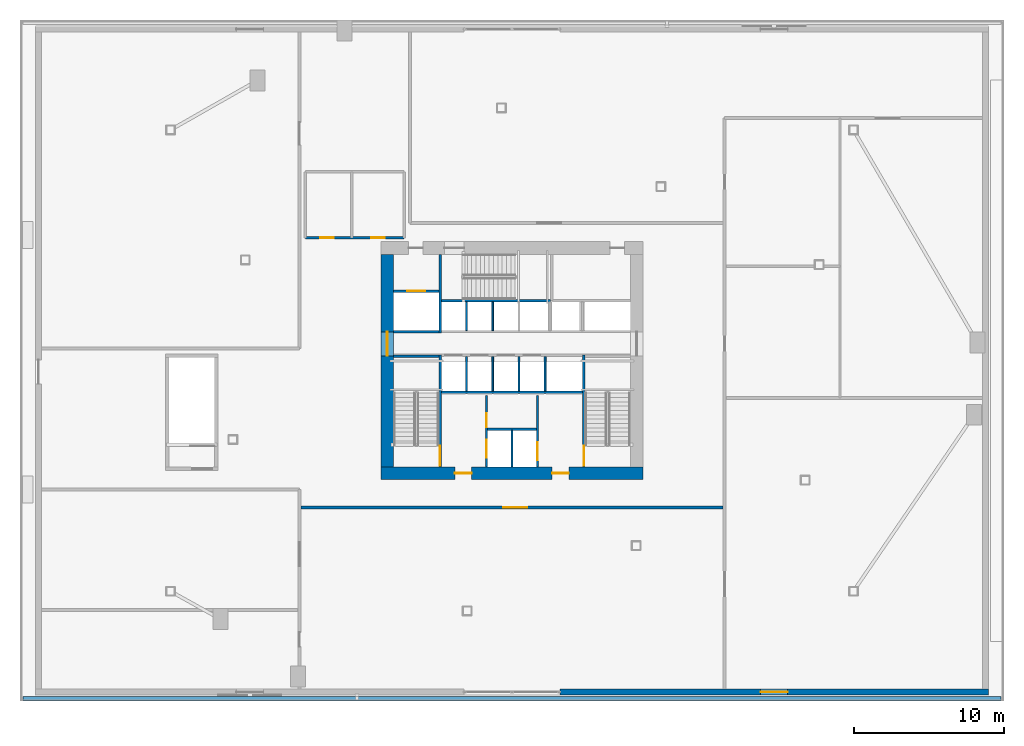
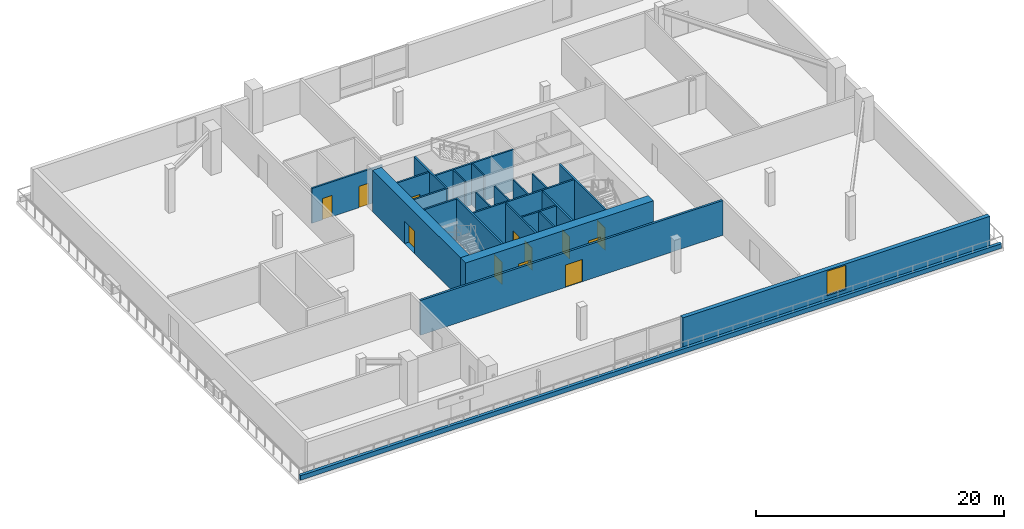
# One storey, part 8 of 16: 24 walls, 12 doors, 1 window, 13 openings.
"""IFC4 building model written with IfcOpenShell, lengths in metres."""

from ifc_helpers import new_model, si_unit, direction, frame, frame_2d, origin, place, context, subcontext, project, spatial, rectangle, extrude, source, transform, mapped, material, layer, layer_set, type_object, type_shapes, element, fill, save


model = new_model("IFC4")

# Units and contexts
model_context = context("Model", 3, precision=1e-05, world=origin(), true_north=direction((0.0, 1.0)))
body_context = subcontext(model_context, "Body", "Model", "MODEL_VIEW")
ifc_project = project(units=[si_unit("LENGTHUNIT", "METRE"), si_unit("AREAUNIT", "SQUARE_METRE"), si_unit("VOLUMEUNIT", "CUBIC_METRE"), si_unit("PLANEANGLEUNIT", "RADIAN"), si_unit("MASSUNIT", "GRAM", prefix="KILO")], contexts=[model_context])

# Site, building, storey
site_placement = place(None, origin())
site = spatial("IfcSite", under=ifc_project, at=site_placement, CompositionType="ELEMENT")
building_placement = place(site_placement, origin())
building = spatial("IfcBuilding", under=site, at=building_placement, Name="Olszyna Solenne Hotel", CompositionType="ELEMENT")
storey_placement = place(building_placement, frame((0.0, 0.0, 20.10009765625)))
storey = spatial("IfcBuildingStorey", under=building, at=storey_placement, Name="L04", CompositionType="ELEMENT", Elevation=20.10009765625)

# Wall, openings, doors
ifc_material_1 = material(Name="Concrete C60/75", Category="concrete")
ifc_layer_1 = layer(ifc_material_1, 0.85009765625, Name="Concrete C60/75")
ifc_layer_set_1 = layer_set([ifc_layer_1], Name="Concrete C60/75")
wall_type_1 = type_object("IfcWallType", Name="WL-CR850", PredefinedType="SHEAR", material=ifc_layer_set_1)
wall_1_placement = place(storey_placement, frame((46.75, 19.074951171875, 0.0), z_axis=(0.0, 0.0, 1.0), x_axis=(-1.0, 0.0, 0.0)))
wall_1 = element("IfcWall", 1, at=wall_1_placement, inside=storey, type_object=wall_type_1, Name="Core shear wall WL-CR850 CRW-L04-S", PredefinedType="SHEAR", context=body_context, shape_type="SweptSolid", body=[
    extrude(rectangle(XDim=17.5, YDim=0.85009765625, at=frame_2d((8.75, 0.0))), origin(), (0.0, 0.0, 1.0), 4.079833984375),
])
opening_1_placement = place(wall_1_placement, frame((4.949951171875, 0.0, 0.0)))
opening_1 = element("IfcOpeningElement", 2, at=opening_1_placement, cuts=wall_1, Name="Opening FL-L04-1", PredefinedType="OPENING", context=body_context, shape_type="SweptSolid", body=[
    extrude(rectangle(XDim=1.1201171875, YDim=2.25, at=frame_2d((0.56005859375, 1.125))), frame((0.0, 0.43505859375, 0.0), z_axis=(0.0, -1.0, 0.0), x_axis=(1.0, 0.0, 0.0)), (0.0, 0.0, 1.0), 0.8701171875),
])
opening_2_placement = place(wall_1_placement, frame((11.449951171875, 0.0, 0.0)))
opening_2 = element("IfcOpeningElement", 3, at=opening_2_placement, cuts=wall_1, Name="Opening FL-L04-2", PredefinedType="OPENING", context=body_context, shape_type="SweptSolid", body=[
    extrude(rectangle(XDim=1.1201171875, YDim=2.25, at=frame_2d((0.56005859375, 1.125))), frame((0.0, 0.43505859375, 0.0), z_axis=(0.0, -1.0, 0.0), x_axis=(1.0, 0.0, 0.0)), (0.0, 0.0, 1.0), 0.8701171875),
])
ifc_material_2 = material(Name="Steel S355J2", Category="steel")
door_type_1 = type_object("IfcDoorType", Name="DR-FL1", OperationType="NOTDEFINED", PredefinedType="DOOR", material=ifc_material_2)
shared_shape_1 = source(origin(), body_context, "Body", "SweptSolid", [
    extrude(rectangle(XDim=1.1201171875, YDim=2.25, at=frame_2d((0.56005859375, 1.125))), frame((0.0, 0.02490234375, 0.0), z_axis=(0.0, -1.0, 0.0), x_axis=(1.0, 0.0, 0.0)), (0.0, 0.0, 1.0), 0.050048828125),
])
type_shapes(door_type_1, [shared_shape_1])
door_1_placement = place(opening_1_placement, origin())
door_1 = element("IfcDoor", 4, at=door_1_placement, inside=storey, type_object=door_type_1, Name="Firefighting lift lobby smoke door FL-L04-1", OperationType="SINGLE_SWING_LEFT", OverallHeight=2.25, OverallWidth=1.1201171875, PredefinedType="DOOR", context=body_context, shape_type="MappedRepresentation", body=[
    mapped(shared_shape_1, transform((0.0, 0.0, 0.0), x_axis=(1.0, 0.0, 0.0), y_axis=(0.0, 1.0, 0.0), z_axis=(0.0, 0.0, 1.0), scale=1.0)),
])
fill(opening_1, door_1)
door_2_placement = place(opening_2_placement, origin())
door_2 = element("IfcDoor", 5, at=door_2_placement, inside=storey, type_object=door_type_1, Name="Firefighting lift lobby smoke door FL-L04-2", OperationType="SINGLE_SWING_RIGHT", OverallHeight=2.25, OverallWidth=1.1201171875, PredefinedType="DOOR", context=body_context, shape_type="MappedRepresentation", body=[
    mapped(shared_shape_1, transform((0.0, 0.0, 0.0), x_axis=(1.0, 0.0, 0.0), y_axis=(0.0, 1.0, 0.0), z_axis=(0.0, 0.0, 1.0), scale=1.0)),
])
fill(opening_2, door_2)

# Wall, opening, door
wall_2_placement = place(storey_placement, frame((29.675048828125, 19.5, 0.0), z_axis=(0.0, 0.0, 1.0), x_axis=(0.0, 1.0, 0.0)))
wall_2 = element("IfcWall", 6, at=wall_2_placement, inside=storey, type_object=wall_type_1, Name="Core shear wall WL-CR850 CRW-L04-W", PredefinedType="SHEAR", context=body_context, shape_type="SweptSolid", body=[
    extrude(rectangle(XDim=14.199951171875, YDim=0.85009765625, at=frame_2d((7.10009765625, 0.0))), origin(), (0.0, 0.0, 1.0), 4.079833984375),
])
opening_3_placement = place(wall_2_placement, frame((7.419921875, 0.0, 0.0)))
opening_3 = element("IfcOpeningElement", 7, at=opening_3_placement, cuts=wall_2, Name="Opening LHD-L04-W", PredefinedType="OPENING", context=body_context, shape_type="SweptSolid", body=[
    extrude(rectangle(XDim=1.60009765625, YDim=2.199951171875, at=frame_2d((0.800048828125, 1.10009765625))), frame((0.0, 0.43505859375, 0.0), z_axis=(0.0, -1.0, 0.0), x_axis=(1.0, 0.0, 0.0)), (0.0, 0.0, 1.0), 0.8701171875),
])
ifc_material_3 = material(Name="Timber hardwood", Category="wood")
door_type_2 = type_object("IfcDoorType", Name="DR-CR1", OperationType="DOUBLE_DOOR_SINGLE_SWING", PredefinedType="DOOR", material=ifc_material_3)
shared_shape_2 = source(origin(), body_context, "Body", "SweptSolid", [
    extrude(rectangle(XDim=1.60009765625, YDim=2.199951171875, at=frame_2d((0.800048828125, 1.10009765625))), frame((0.0, 0.02490234375, 0.0), z_axis=(0.0, -1.0, 0.0), x_axis=(1.0, 0.0, 0.0)), (0.0, 0.0, 1.0), 0.050048828125),
])
type_shapes(door_type_2, [shared_shape_2])
door_3_placement = place(opening_3_placement, origin())
door_3 = element("IfcDoor", 8, at=door_3_placement, inside=storey, type_object=door_type_2, Name="Passenger lift lobby West fire door LHD-L04-W", OperationType="DOUBLE_DOOR_SINGLE_SWING", OverallHeight=2.199951171875, OverallWidth=1.60009765625, PredefinedType="DOOR", context=body_context, shape_type="MappedRepresentation", body=[
    mapped(shared_shape_2, transform((0.0, 0.0, 0.0), x_axis=(1.0, 0.0, 0.0), y_axis=(0.0, 1.0, 0.0), z_axis=(0.0, 0.0, 1.0), scale=1.0)),
])
fill(opening_3, door_3)

# Wall, opening, window
ifc_material_4 = material(Name="Terracotta cladding on precast concrete C45/55", Category="masonry")
ifc_layer_2 = layer(ifc_material_4, 0.3798828125, Name="Terracotta cladding on precast concrete C45/55")
ifc_layer_set_2 = layer_set([ifc_layer_2], Name="Terracotta cladding on precast concrete C45/55")
wall_type_2 = type_object("IfcWallType", Name="WL-EX380", PredefinedType="SOLIDWALL", material=ifc_layer_set_2)
wall_3_placement = place(storey_placement, frame((69.800048828125, 4.469970703125, 0.0), z_axis=(0.0, 0.0, 1.0), x_axis=(-1.0, 0.0, 0.0)))
wall_3 = element("IfcWall", 9, at=wall_3_placement, inside=storey, type_object=wall_type_2, Name="Podium terracotta-precast exterior wall EW-L04-SE", PredefinedType="SOLIDWALL", context=body_context, shape_type="SweptSolid", body=[
    extrude(rectangle(XDim=28.60009765625, YDim=0.3798828125, at=frame_2d((14.300048828125, 0.0))), origin(), (0.0, 0.0, 1.0), 3.199951171875),
])
opening_4_placement = place(wall_3_placement, frame((13.39990234375, 0.0, 0.679931640625)))
opening_4 = element("IfcOpeningElement", 10, at=opening_4_placement, cuts=wall_3, Name="Opening WN-L04-017", PredefinedType="OPENING", context=body_context, shape_type="SweptSolid", body=[
    extrude(rectangle(XDim=1.800048828125, YDim=2.39990234375, at=frame_2d((0.89990234375, 1.199951171875))), frame((0.0, 0.199951171875, 0.0), z_axis=(0.0, -1.0, 0.0), x_axis=(1.0, 0.0, 0.0)), (0.0, 0.0, 1.0), 0.39990234375),
])
ifc_material_5 = material(Name="Low-E triple glazing", Category="glass")
window_type = type_object("IfcWindowType", Name="WN-PD2", PartitioningType="SINGLE_PANEL", PredefinedType="WINDOW", material=ifc_material_5)
shared_shape_3 = source(origin(), body_context, "Body", "SweptSolid", [
    extrude(rectangle(XDim=1.800048828125, YDim=2.39990234375, at=frame_2d((0.89990234375, 1.199951171875))), frame((0.0, 0.030029296875, 0.0), z_axis=(0.0, -1.0, 0.0), x_axis=(1.0, 0.0, 0.0)), (0.0, 0.0, 1.0), 0.06005859375),
])
type_shapes(window_type, [shared_shape_3])
window_placement = place(opening_4_placement, origin())
window = element("IfcWindow", 11, at=window_placement, inside=storey, type_object=window_type, Name="Podium triple-glazed window WN-PD2 WN-L04-017", OverallHeight=2.39990234375, OverallWidth=1.800048828125, PartitioningType="SINGLE_PANEL", PredefinedType="WINDOW", context=body_context, shape_type="MappedRepresentation", body=[
    mapped(shared_shape_3, transform((0.0, 0.0, 0.0), x_axis=(1.0, 0.0, 0.0), y_axis=(0.0, 1.0, 0.0), z_axis=(0.0, 0.0, 1.0), scale=1.0)),
])
fill(opening_4, window)

# Walls
ifc_layer_3 = layer(ifc_material_4, 0.280029296875, Name="Terracotta cladding on precast concrete C45/55")
ifc_layer_set_3 = layer_set([ifc_layer_3], Name="Terracotta cladding on precast concrete C45/55")
wall_type_3 = type_object("IfcWallType", Name="WL-PR280", PredefinedType="PARAPET", material=ifc_layer_set_3)
wall_4_placement = place(storey_placement, frame((5.35009765625, 4.02001953125, 0.0), z_axis=(0.0, 0.0, 1.0), x_axis=(1.0, 0.0, 0.0)))
element("IfcWall", 12, at=wall_4_placement, inside=storey, type_object=wall_type_3, Name="Garden terrace parapet upstand PR-L04-S", PredefinedType="PARAPET", context=body_context, shape_type="SweptSolid", body=[
    extrude(rectangle(XDim=65.2998046875, YDim=0.280029296875, at=frame_2d((32.64990234375, 0.0))), origin(), (0.0, 0.0, 1.0), 0.449951171875),
])
ifc_material_6 = material(Name="Acoustic gypsum partition", Category="gypsum")
ifc_layer_4 = layer(ifc_material_6, 0.125, Name="Acoustic gypsum partition")
ifc_layer_set_4 = layer_set([ifc_layer_4], Name="Acoustic gypsum partition")
wall_type_4 = type_object("IfcWallType", Name="WL-PT125", PredefinedType="PARTITIONING", material=ifc_layer_set_4)
wall_5_placement = place(storey_placement, frame((38.0, 19.5, 0.0), z_axis=(0.0, 0.0, 1.0), x_axis=(0.0, 1.0, 0.0)))
element("IfcWall", 13, at=wall_5_placement, inside=storey, type_object=wall_type_4, Name="Core shaft compartment wall CW-L04-FFM", PredefinedType="PARTITIONING", context=body_context, shape_type="SweptSolid", body=[
    extrude(rectangle(XDim=2.4599609375, YDim=0.125, at=frame_2d((1.22998046875, 0.0))), origin(), (0.0, 0.0, 1.0), 4.079833984375),
])
for number, where, z_axis, x_axis, name in (
    (14, (34.965087890625, 24.56005859375, 0.0), (0.0, 0.0, 1.0), (0.0, 1.0, 0.0), "Core shaft compartment wall CW-L04-DIVS349"),
    (15, (36.715087890625, 24.56005859375, 0.0), (0.0, 0.0, 1.0), (0.0, 1.0, 0.0), "Core shaft compartment wall CW-L04-DIVS367"),
    (16, (38.465087890625, 24.56005859375, 0.0), (0.0, 0.0, 1.0), (0.0, 1.0, 0.0), "Core shaft compartment wall CW-L04-DIVS384"),
    (17, (40.215087890625, 24.56005859375, 0.0), (0.0, 0.0, 1.0), (0.0, 1.0, 0.0), "Core shaft compartment wall CW-L04-DIVS402"),
):
    element("IfcWall", number, at=place(storey_placement, frame(where, z_axis=z_axis, x_axis=x_axis)), inside=storey, type_object=wall_type_4, Name=name, PredefinedType="PARTITIONING", context=body_context, shape_type="SweptSolid", body=[
        extrude(rectangle(XDim=2.31005859375, YDim=0.125, at=frame_2d((1.155029296875, 0.0))), origin(), (0.0, 0.0, 1.0), 4.079833984375),
    ])
for number, where, z_axis, x_axis, name in (
    (18, (34.965087890625, 28.60009765625, 0.0), (0.0, 0.0, 1.0), (0.0, 1.0, 0.0), "Core shaft compartment wall CW-L04-DIVN349"),
    (19, (36.715087890625, 28.60009765625, 0.0), (0.0, 0.0, 1.0), (0.0, 1.0, 0.0), "Core shaft compartment wall CW-L04-DIVN367"),
):
    element("IfcWall", number, at=place(storey_placement, frame(where, z_axis=z_axis, x_axis=x_axis)), inside=storey, type_object=wall_type_4, Name=name, PredefinedType="PARTITIONING", context=body_context, shape_type="SweptSolid", body=[
        extrude(rectangle(XDim=1.919921875, YDim=0.125, at=frame_2d((0.9599609375, 0.0))), origin(), (0.0, 0.0, 1.0), 4.079833984375),
    ])

# Wall, opening, door
ifc_layer_5 = layer(ifc_material_6, 0.159912109375, Name="Acoustic gypsum partition")
ifc_layer_set_5 = layer_set([ifc_layer_5], Name="Acoustic gypsum partition")
wall_type_5 = type_object("IfcWallType", Name="WL-PT160", PredefinedType="PARTITIONING", material=ifc_layer_set_5)
wall_6_placement = place(storey_placement, frame((33.199951171875, 19.5, 0.0), z_axis=(0.0, 0.0, 1.0), x_axis=(0.0, 1.0, 0.0)))
wall_6 = element("IfcWall", 20, at=wall_6_placement, inside=storey, type_object=wall_type_5, Name="Core shaft compartment wall CW-L04-ST1E", PredefinedType="PARTITIONING", context=body_context, shape_type="SweptSolid", body=[
    extrude(rectangle(XDim=7.4599609375, YDim=0.159912109375, at=frame_2d((3.72998046875, 0.0))), origin(), (0.0, 0.0, 1.0), 4.079833984375),
])
opening_5_placement = place(wall_6_placement, frame((0.080078125, 0.0, 0.0)))
opening_5 = element("IfcOpeningElement", 21, at=opening_5_placement, cuts=wall_6, Name="Opening STD-L04-01", PredefinedType="OPENING", context=body_context, shape_type="SweptSolid", body=[
    extrude(rectangle(XDim=1.320068359375, YDim=2.199951171875, at=frame_2d((0.66015625, 1.10009765625))), frame((0.0, 0.08984375, 0.0), z_axis=(0.0, -1.0, 0.0), x_axis=(1.0, 0.0, 0.0)), (0.0, 0.0, 1.0), 0.179931640625),
])
door_type_3 = type_object("IfcDoorType", Name="DR-ST1", OperationType="NOTDEFINED", PredefinedType="DOOR", material=ifc_material_2)
shared_shape_4 = source(origin(), body_context, "Body", "SweptSolid", [
    extrude(rectangle(XDim=1.320068359375, YDim=2.199951171875, at=frame_2d((0.66015625, 1.10009765625))), frame((0.0, 0.02490234375, 0.0), z_axis=(0.0, -1.0, 0.0), x_axis=(1.0, 0.0, 0.0)), (0.0, 0.0, 1.0), 0.050048828125),
])
type_shapes(door_type_3, [shared_shape_4])
door_4_placement = place(opening_5_placement, origin())
door_4 = element("IfcDoor", 22, at=door_4_placement, inside=storey, type_object=door_type_3, Name="Pressurised exit stair ST1 fire door STD-L04-01", OperationType="SINGLE_SWING_LEFT", OverallHeight=2.199951171875, OverallWidth=1.320068359375, PredefinedType="DOOR", context=body_context, shape_type="MappedRepresentation", body=[
    mapped(shared_shape_4, transform((0.0, 0.0, 0.0), x_axis=(1.0, 0.0, 0.0), y_axis=(0.0, 1.0, 0.0), z_axis=(0.0, 0.0, 1.0), scale=1.0)),
])
fill(opening_5, door_4)

# Wall
wall_7_placement = place(storey_placement, frame((30.10009765625, 26.8798828125, 0.0), z_axis=(0.0, 0.0, 1.0), x_axis=(1.0, 0.0, 0.0)))
element("IfcWall", 23, at=wall_7_placement, inside=storey, type_object=wall_type_5, Name="Core shaft compartment wall CW-L04-ST1N", PredefinedType="PARTITIONING", context=body_context, shape_type="SweptSolid", body=[
    extrude(rectangle(XDim=3.02001953125, YDim=0.159912109375, at=frame_2d((1.510009765625, 0.0))), origin(), (0.0, 0.0, 1.0), 4.079833984375),
])

# Wall, opening, door
wall_8_placement = place(storey_placement, frame((42.800048828125, 26.9599609375, 0.0), z_axis=(0.0, 0.0, 1.0), x_axis=(0.0, -1.0, 0.0)))
wall_8 = element("IfcWall", 24, at=wall_8_placement, inside=storey, type_object=wall_type_5, Name="Core shaft compartment wall CW-L04-ST2W", PredefinedType="PARTITIONING", context=body_context, shape_type="SweptSolid", body=[
    extrude(rectangle(XDim=7.4599609375, YDim=0.159912109375, at=frame_2d((3.72998046875, 0.0))), origin(), (0.0, 0.0, 1.0), 4.079833984375),
])
opening_6_placement = place(wall_8_placement, frame((6.06005859375, 0.0, 0.0)))
opening_6 = element("IfcOpeningElement", 25, at=opening_6_placement, cuts=wall_8, Name="Opening STD-L04-02", PredefinedType="OPENING", context=body_context, shape_type="SweptSolid", body=[
    extrude(rectangle(XDim=1.320068359375, YDim=2.199951171875, at=frame_2d((0.66015625, 1.10009765625))), frame((0.0, 0.08984375, 0.0), z_axis=(0.0, -1.0, 0.0), x_axis=(1.0, 0.0, 0.0)), (0.0, 0.0, 1.0), 0.179931640625),
])
door_5_placement = place(opening_6_placement, origin())
door_5 = element("IfcDoor", 26, at=door_5_placement, inside=storey, type_object=door_type_3, Name="Pressurised exit stair ST2 fire door STD-L04-02", OperationType="SINGLE_SWING_RIGHT", OverallHeight=2.199951171875, OverallWidth=1.320068359375, PredefinedType="DOOR", context=body_context, shape_type="MappedRepresentation", body=[
    mapped(shared_shape_4, transform((0.0, 0.0, 0.0), x_axis=(1.0, 0.0, 0.0), y_axis=(0.0, 1.0, 0.0), z_axis=(0.0, 0.0, 1.0), scale=1.0)),
])
fill(opening_6, door_5)

# Wall
wall_9_placement = place(storey_placement, frame((33.280029296875, 30.60009765625, 0.0), z_axis=(0.0, 0.0, 1.0), x_axis=(1.0, 0.0, 0.0)))
element("IfcWall", 27, at=wall_9_placement, inside=storey, type_object=wall_type_5, Name="Core shaft compartment wall CW-L04-ST3S", PredefinedType="PARTITIONING", context=body_context, shape_type="SweptSolid", body=[
    extrude(rectangle(XDim=7.300048828125, YDim=0.159912109375, at=frame_2d((3.64990234375, 0.0))), origin(), (0.0, 0.0, 1.0), 4.079833984375),
])

# Wall, openings, doors
wall_10_placement = place(storey_placement, frame((36.300048828125, 19.5, 0.0), z_axis=(0.0, 0.0, 1.0), x_axis=(0.0, 1.0, 0.0)))
wall_10 = element("IfcWall", 28, at=wall_10_placement, inside=storey, type_object=wall_type_5, Name="Core shaft compartment wall CW-L04-FF1W", PredefinedType="PARTITIONING", context=body_context, shape_type="SweptSolid", body=[
    extrude(rectangle(XDim=4.780029296875, YDim=0.159912109375, at=frame_2d((2.39013671875, 0.0))), origin(), (0.0, 0.0, 1.0), 4.079833984375),
])
opening_7_placement = place(wall_10_placement, frame((0.60009765625, 0.0, 0.0)))
opening_7 = element("IfcOpeningElement", 29, at=opening_7_placement, cuts=wall_10, Name="Opening LD-L04-FF1", PredefinedType="OPENING", context=body_context, shape_type="SweptSolid", body=[
    extrude(rectangle(XDim=1.199951171875, YDim=2.199951171875, at=frame_2d((0.60009765625, 1.10009765625))), frame((0.0, 0.08984375, 0.0), z_axis=(0.0, -1.0, 0.0), x_axis=(1.0, 0.0, 0.0)), (0.0, 0.0, 1.0), 0.179931640625),
])
opening_8_placement = place(wall_10_placement, frame((2.64990234375, 0.0, 0.0)))
opening_8 = element("IfcOpeningElement", 30, at=opening_8_placement, cuts=wall_10, Name="Opening SVD-L04-SMK", PredefinedType="OPENING", context=body_context, shape_type="SweptSolid", body=[
    extrude(rectangle(XDim=0.949951171875, YDim=2.10009765625, at=frame_2d((0.47509765625, 1.050048828125))), frame((0.0, 0.08984375, 0.0), z_axis=(0.0, -1.0, 0.0), x_axis=(1.0, 0.0, 0.0)), (0.0, 0.0, 1.0), 0.179931640625),
])
door_type_4 = type_object("IfcDoorType", Name="DR-SV1", OperationType="NOTDEFINED", PredefinedType="DOOR", material=ifc_material_2)
shared_shape_5 = source(origin(), body_context, "Body", "SweptSolid", [
    extrude(rectangle(XDim=0.949951171875, YDim=2.10009765625, at=frame_2d((0.47509765625, 1.050048828125))), frame((0.0, 0.02490234375, 0.0), z_axis=(0.0, -1.0, 0.0), x_axis=(1.0, 0.0, 0.0)), (0.0, 0.0, 1.0), 0.050048828125),
])
type_shapes(door_type_4, [shared_shape_5])
door_6_placement = place(opening_8_placement, origin())
door_6 = element("IfcDoor", 31, at=door_6_placement, inside=storey, type_object=door_type_4, Name="Valet and core service room door SVD-L04-SMK", OperationType="SINGLE_SWING_LEFT", OverallHeight=2.10009765625, OverallWidth=0.949951171875, PredefinedType="DOOR", context=body_context, shape_type="MappedRepresentation", body=[
    mapped(shared_shape_5, transform((0.0, 0.0, 0.0), x_axis=(1.0, 0.0, 0.0), y_axis=(0.0, 1.0, 0.0), z_axis=(0.0, 0.0, 1.0), scale=1.0)),
])
fill(opening_8, door_6)
door_type_5 = type_object("IfcDoorType", Name="LD-FF1", OperationType="DOUBLE_DOOR_SLIDING", PredefinedType="DOOR", material=ifc_material_2)
shared_shape_6 = source(origin(), body_context, "Body", "SweptSolid", [
    extrude(rectangle(XDim=1.199951171875, YDim=2.199951171875, at=frame_2d((0.60009765625, 1.10009765625))), frame((0.0, 0.02490234375, 0.0), z_axis=(0.0, -1.0, 0.0), x_axis=(1.0, 0.0, 0.0)), (0.0, 0.0, 1.0), 0.050048828125),
])
type_shapes(door_type_5, [shared_shape_6])
door_7_placement = place(opening_7_placement, origin())
door_7 = element("IfcDoor", 32, at=door_7_placement, inside=storey, type_object=door_type_5, Name="Firefighters lift FF1 sliding landing door LD-L04-FF1", OperationType="DOUBLE_DOOR_SLIDING", OverallHeight=2.199951171875, OverallWidth=1.199951171875, PredefinedType="DOOR", context=body_context, shape_type="MappedRepresentation", body=[
    mapped(shared_shape_6, transform((0.0, 0.0, 0.0), x_axis=(1.0, 0.0, 0.0), y_axis=(0.0, 1.0, 0.0), z_axis=(0.0, 0.0, 1.0), scale=1.0)),
])
fill(opening_7, door_7)

# Wall, opening, door
wall_11_placement = place(storey_placement, frame((39.699951171875, 24.280029296875, 0.0), z_axis=(0.0, 0.0, 1.0), x_axis=(0.0, -1.0, 0.0)))
wall_11 = element("IfcWall", 33, at=wall_11_placement, inside=storey, type_object=wall_type_5, Name="Core shaft compartment wall CW-L04-FF2E", PredefinedType="PARTITIONING", context=body_context, shape_type="SweptSolid", body=[
    extrude(rectangle(XDim=4.780029296875, YDim=0.159912109375, at=frame_2d((2.39013671875, 0.0))), origin(), (0.0, 0.0, 1.0), 4.079833984375),
])
opening_9_placement = place(wall_11_placement, frame((3.1201171875, 0.0, 0.0)))
opening_9 = element("IfcOpeningElement", 34, at=opening_9_placement, cuts=wall_11, Name="Opening LD-L04-FF2", PredefinedType="OPENING", context=body_context, shape_type="SweptSolid", body=[
    extrude(rectangle(XDim=1.199951171875, YDim=2.199951171875, at=frame_2d((0.60009765625, 1.10009765625))), frame((0.0, 0.08984375, 0.0), z_axis=(0.0, -1.0, 0.0), x_axis=(1.0, 0.0, 0.0)), (0.0, 0.0, 1.0), 0.179931640625),
])
door_8_placement = place(opening_9_placement, origin())
door_8 = element("IfcDoor", 35, at=door_8_placement, inside=storey, type_object=door_type_5, Name="Firefighters lift FF2 sliding landing door LD-L04-FF2", OperationType="DOUBLE_DOOR_SLIDING", OverallHeight=2.199951171875, OverallWidth=1.199951171875, PredefinedType="DOOR", context=body_context, shape_type="MappedRepresentation", body=[
    mapped(shared_shape_6, transform((0.0, 0.0, 0.0), x_axis=(1.0, 0.0, 0.0), y_axis=(0.0, 1.0, 0.0), z_axis=(0.0, 0.0, 1.0), scale=1.0)),
])
fill(opening_9, door_8)

# Walls
wall_12_placement = place(storey_placement, frame((36.3798828125, 22.02001953125, 0.0), z_axis=(0.0, 0.0, 1.0), x_axis=(1.0, 0.0, 0.0)))
element("IfcWall", 36, at=wall_12_placement, inside=storey, type_object=wall_type_5, Name="Core shaft compartment wall CW-L04-FFN", PredefinedType="PARTITIONING", context=body_context, shape_type="SweptSolid", body=[
    extrude(rectangle(XDim=3.240234375, YDim=0.159912109375, at=frame_2d((1.6201171875, 0.0))), origin(), (0.0, 0.0, 1.0), 4.079833984375),
])
wall_13_placement = place(storey_placement, frame((33.280029296875, 24.489990234375, 0.0), z_axis=(0.0, 0.0, 1.0), x_axis=(1.0, 0.0, 0.0)))
element("IfcWall", 37, at=wall_13_placement, inside=storey, type_object=wall_type_5, Name="Core shaft compartment wall CW-L04-FFBN", PredefinedType="PARTITIONING", context=body_context, shape_type="SweptSolid", body=[
    extrude(rectangle(XDim=9.43994140625, YDim=0.159912109375, at=frame_2d((4.719970703125, 0.0))), origin(), (0.0, 0.0, 1.0), 4.079833984375),
])
wall_14_placement = place(storey_placement, frame((30.10009765625, 28.52001953125, 0.0), z_axis=(0.0, 0.0, 1.0), x_axis=(1.0, 0.0, 0.0)))
element("IfcWall", 38, at=wall_14_placement, inside=storey, type_object=wall_type_5, Name="Core shaft compartment wall CW-L04-SV1S", PredefinedType="PARTITIONING", context=body_context, shape_type="SweptSolid", body=[
    extrude(rectangle(XDim=3.02001953125, YDim=0.159912109375, at=frame_2d((1.510009765625, 0.0))), origin(), (0.0, 0.0, 1.0), 4.079833984375),
])
wall_15_placement = place(storey_placement, frame((33.199951171875, 28.43994140625, 0.0), z_axis=(0.0, 0.0, 1.0), x_axis=(0.0, 1.0, 0.0)))
element("IfcWall", 39, at=wall_15_placement, inside=storey, type_object=wall_type_5, Name="Core shaft compartment wall CW-L04-SV1E", PredefinedType="PARTITIONING", context=body_context, shape_type="SweptSolid", body=[
    extrude(rectangle(XDim=5.260009765625, YDim=0.159912109375, at=frame_2d((2.6298828125, 0.0))), origin(), (0.0, 0.0, 1.0), 4.079833984375),
])

# Wall, opening, door
wall_16_placement = place(storey_placement, frame((30.10009765625, 31.239990234375, 0.0), z_axis=(0.0, 0.0, 1.0), x_axis=(1.0, 0.0, 0.0)))
wall_16 = element("IfcWall", 40, at=wall_16_placement, inside=storey, type_object=wall_type_5, Name="Core shaft compartment wall CW-L04-SV1N", PredefinedType="PARTITIONING", context=body_context, shape_type="SweptSolid", body=[
    extrude(rectangle(XDim=3.02001953125, YDim=0.159912109375, at=frame_2d((1.510009765625, 0.0))), origin(), (0.0, 0.0, 1.0), 4.079833984375),
])
opening_10_placement = place(wall_16_placement, frame((0.909912109375, 0.0, 0.0)))
opening_10 = element("IfcOpeningElement", 41, at=opening_10_placement, cuts=wall_16, Name="Opening LD-L04-SV1", PredefinedType="OPENING", context=body_context, shape_type="SweptSolid", body=[
    extrude(rectangle(XDim=1.199951171875, YDim=2.199951171875, at=frame_2d((0.60009765625, 1.10009765625))), frame((0.0, 0.08984375, 0.0), z_axis=(0.0, -1.0, 0.0), x_axis=(1.0, 0.0, 0.0)), (0.0, 0.0, 1.0), 0.179931640625),
])
door_9_placement = place(opening_10_placement, origin())
door_9 = element("IfcDoor", 42, at=door_9_placement, inside=storey, type_object=door_type_5, Name="Service lift SV1 sliding landing door LD-L04-SV1", OperationType="DOUBLE_DOOR_SLIDING", OverallHeight=2.199951171875, OverallWidth=1.199951171875, PredefinedType="DOOR", context=body_context, shape_type="MappedRepresentation", body=[
    mapped(shared_shape_6, transform((0.0, 0.0, 0.0), x_axis=(1.0, 0.0, 0.0), y_axis=(0.0, 1.0, 0.0), z_axis=(0.0, 0.0, 1.0), scale=1.0)),
])
fill(opening_10, door_9)

# Wall, openings, doors
wall_17_placement = place(storey_placement, frame((24.199951171875, 34.800048828125, 0.0), z_axis=(0.0, 0.0, 1.0), x_axis=(1.0, 0.0, 0.0)))
wall_17 = element("IfcWall", 43, at=wall_17_placement, inside=storey, type_object=wall_type_5, Name="Interior acoustic partition WL-PT160 PW-L04-0281", PredefinedType="PARTITIONING", context=body_context, shape_type="SweptSolid", body=[
    extrude(rectangle(XDim=6.60009765625, YDim=0.159912109375, at=frame_2d((3.300048828125, 0.0))), origin(), (0.0, 0.0, 1.0), 3.429931640625),
])
opening_11_placement = place(wall_17_placement, frame((1.0, 0.0, 0.0)))
opening_11 = element("IfcOpeningElement", 44, at=opening_11_placement, cuts=wall_17, Name="Opening DR-L04-0063", PredefinedType="OPENING", context=body_context, shape_type="SweptSolid", body=[
    extrude(rectangle(XDim=0.89990234375, YDim=2.10009765625, at=frame_2d((0.449951171875, 1.050048828125))), frame((0.0, 0.08984375, 0.0), z_axis=(0.0, -1.0, 0.0), x_axis=(1.0, 0.0, 0.0)), (0.0, 0.0, 1.0), 0.179931640625),
])
opening_12_placement = place(wall_17_placement, frame((4.39990234375, 0.0, 0.0)))
opening_12 = element("IfcOpeningElement", 45, at=opening_12_placement, cuts=wall_17, Name="Opening DR-L04-0064", PredefinedType="OPENING", context=body_context, shape_type="SweptSolid", body=[
    extrude(rectangle(XDim=0.89990234375, YDim=2.10009765625, at=frame_2d((0.449951171875, 1.050048828125))), frame((0.0, 0.08984375, 0.0), z_axis=(0.0, -1.0, 0.0), x_axis=(1.0, 0.0, 0.0)), (0.0, 0.0, 1.0), 0.179931640625),
])
door_type_6 = type_object("IfcDoorType", Name="DR-WC1", OperationType="NOTDEFINED", PredefinedType="DOOR", material=ifc_material_3)
shared_shape_7 = source(origin(), body_context, "Body", "SweptSolid", [
    extrude(rectangle(XDim=0.89990234375, YDim=2.10009765625, at=frame_2d((0.449951171875, 1.050048828125))), frame((0.0, 0.02490234375, 0.0), z_axis=(0.0, -1.0, 0.0), x_axis=(1.0, 0.0, 0.0)), (0.0, 0.0, 1.0), 0.050048828125),
])
type_shapes(door_type_6, [shared_shape_7])
door_10_placement = place(opening_11_placement, origin())
door_10 = element("IfcDoor", 46, at=door_10_placement, inside=storey, type_object=door_type_6, Name="Accessible WC Door DR-L04-0063", OperationType="SINGLE_SWING_LEFT", OverallHeight=2.10009765625, OverallWidth=0.89990234375, PredefinedType="DOOR", context=body_context, shape_type="MappedRepresentation", body=[
    mapped(shared_shape_7, transform((0.0, 0.0, 0.0), x_axis=(1.0, 0.0, 0.0), y_axis=(0.0, 1.0, 0.0), z_axis=(0.0, 0.0, 1.0), scale=1.0)),
])
fill(opening_11, door_10)
door_11_placement = place(opening_12_placement, origin())
door_11 = element("IfcDoor", 47, at=door_11_placement, inside=storey, type_object=door_type_6, Name="Public Restrooms Door DR-L04-0064", OperationType="SINGLE_SWING_RIGHT", OverallHeight=2.10009765625, OverallWidth=0.89990234375, PredefinedType="DOOR", context=body_context, shape_type="MappedRepresentation", body=[
    mapped(shared_shape_7, transform((0.0, 0.0, 0.0), x_axis=(1.0, 0.0, 0.0), y_axis=(0.0, 1.0, 0.0), z_axis=(0.0, 0.0, 1.0), scale=1.0)),
])
fill(opening_12, door_11)

# Wall, opening, door
ifc_layer_6 = layer(ifc_material_6, 0.199951171875, Name="Acoustic gypsum partition")
ifc_layer_set_6 = layer_set([ifc_layer_6], Name="Acoustic gypsum partition")
wall_type_6 = type_object("IfcWallType", Name="WL-PT200", PredefinedType="PARTITIONING", material=ifc_layer_set_6)
wall_18_placement = place(storey_placement, frame((23.919921875, 16.800048828125, 0.0), z_axis=(0.0, 0.0, 1.0), x_axis=(1.0, 0.0, 0.0)))
wall_18 = element("IfcWall", 48, at=wall_18_placement, inside=storey, type_object=wall_type_6, Name="Interior acoustic partition WL-PT200 PW-L04-0277", PredefinedType="PARTITIONING", context=body_context, shape_type="SweptSolid", body=[
    extrude(rectangle(XDim=28.16015625, YDim=0.199951171875, at=frame_2d((14.080078125, 0.0))), origin(), (0.0, 0.0, 1.0), 3.429931640625),
])
opening_13_placement = place(wall_18_placement, frame((13.5, 0.0, 0.0)))
opening_13 = element("IfcOpeningElement", 49, at=opening_13_placement, cuts=wall_18, Name="Opening DR-L04-0058", PredefinedType="OPENING", context=body_context, shape_type="SweptSolid", body=[
    extrude(rectangle(XDim=1.60009765625, YDim=2.199951171875, at=frame_2d((0.800048828125, 1.10009765625))), frame((0.0, 0.10986328125, 0.0), z_axis=(0.0, -1.0, 0.0), x_axis=(1.0, 0.0, 0.0)), (0.0, 0.0, 1.0), 0.219970703125),
])
door_12_placement = place(opening_13_placement, origin())
door_12 = element("IfcDoor", 50, at=door_12_placement, inside=storey, type_object=door_type_2, Name="Main Hall Entrance DR-L04-0058", OperationType="DOUBLE_DOOR_SINGLE_SWING", OverallHeight=2.199951171875, OverallWidth=1.60009765625, PredefinedType="DOOR", context=body_context, shape_type="MappedRepresentation", body=[
    mapped(shared_shape_2, transform((0.0, 0.0, 0.0), x_axis=(1.0, 0.0, 0.0), y_axis=(0.0, 1.0, 0.0), z_axis=(0.0, 0.0, 1.0), scale=1.0)),
])
fill(opening_13, door_12)

save(model, "model.ifc")
